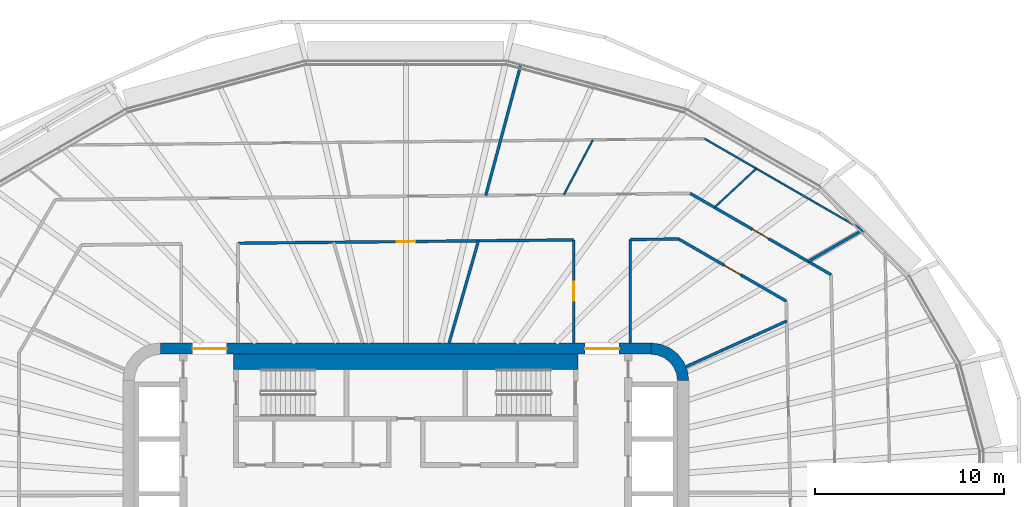
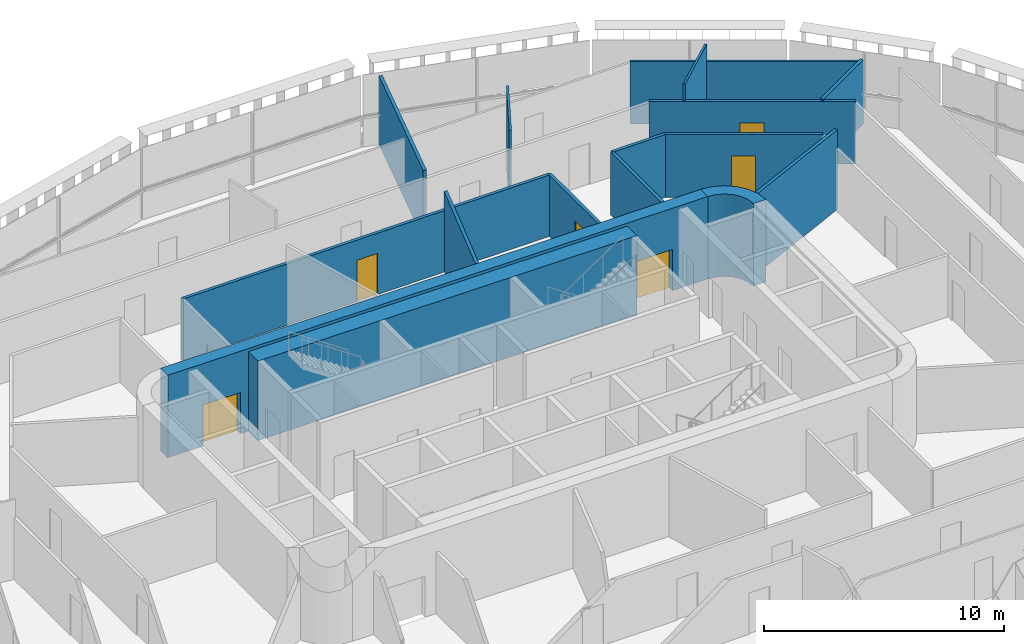
# One storey, part 16 of 24: 16 walls, 6 doors, 6 openings.
"""IFC4 building model written with IfcOpenShell, lengths in metres."""

import ifcopenshell
import ifcopenshell.guid

model = None  # the IFC model being written
_history = None  # IfcOwnerHistory: only IFC2X3 demands one
_inside = {}  # id of a spatial element -> (the spatial element, [elements in it])
_under = {}  # id of a project, library or spatial element -> (it, [spatial elements below it])
_declared = {}  # id of a project -> (the project, [libraries it declares])
_typed = {}  # id of a type object -> (the type object, [elements of that type])
_made_of = {}  # id of a material, layer set ... -> (it, [elements and type objects made of it])


def new_model(schema):
    """Start an empty IFC model of exactly this schema.

    Asked for "IFC4X3", IfcOpenShell would pick the latest addendum, in which some entities
    have other attributes; the version numbers below select the first issue.
    IFC2X3 requires an IfcOwnerHistory on every rooted entity: one is made here for all.
    """
    global model, _history
    if schema == "IFC4X3":
        model = ifcopenshell.file(schema_version=(4, 3, 0, 0))
    else:
        model = ifcopenshell.file(schema=schema)
    _inside.clear()
    _under.clear()
    _declared.clear()
    _typed.clear()
    _made_of.clear()
    _history = None
    if model.schema == "IFC2X3":
        org = make("IfcOrganization", Name="unknown")
        user = make(
            "IfcPersonAndOrganization",
            ThePerson=make("IfcPerson", FamilyName="unknown"),
            TheOrganization=org,
        )
        app = make(
            "IfcApplication",
            ApplicationDeveloper=org,
            Version="unknown",
            ApplicationFullName="unknown",
            ApplicationIdentifier="unknown",
        )
        _history = make(
            "IfcOwnerHistory",
            OwningUser=user,
            OwningApplication=app,
            ChangeAction="ADDED",
            CreationDate=0,
        )
    return model


def make(cls, **values):
    """One entity of the class cls with the attributes given. An attribute that is None is left unset."""
    return model.create_entity(
        cls, **{name: value for name, value in values.items() if value is not None}
    )


def rooted(cls, **values):
    """An entity with a GlobalId (a new one), such as an element, a storey or a relation."""
    return make(cls, GlobalId=ifcopenshell.guid.new(), OwnerHistory=_history, **values)


def si_unit(unit_type, name, prefix=None):
    """IfcSIUnit, for example si_unit("LENGTHUNIT", "METRE", prefix="MILLI")."""
    return make("IfcSIUnit", UnitType=unit_type, Prefix=prefix, Name=name)


def assignment(units):
    """IfcUnitAssignment: the units of a project."""
    return None if units is None else make("IfcUnitAssignment", Units=units)


def point(xyz):
    """IfcCartesianPoint."""
    return None if xyz is None else make("IfcCartesianPoint", Coordinates=xyz)


def direction(xyz):
    """IfcDirection."""
    return None if xyz is None else make("IfcDirection", DirectionRatios=xyz)


def frame(location, z_axis=None, x_axis=None):
    """IfcAxis2Placement3D, a coordinate frame: its origin and axes. An axis left out is left unset."""
    return make(
        "IfcAxis2Placement3D",
        Location=point(location),
        Axis=direction(z_axis),
        RefDirection=direction(x_axis),
    )


def frame_2d(location, x_axis=None):
    """IfcAxis2Placement2D, a coordinate frame in the plane: its origin and x axis."""
    return make(
        "IfcAxis2Placement2D", Location=point(location), RefDirection=direction(x_axis)
    )


def origin():
    """The frame at (0, 0, 0) with its axes left unset."""
    return frame((0.0, 0.0, 0.0))


def place(relative_to, where):
    """IfcLocalPlacement: puts the frame where relative to a parent placement (None: the world)."""
    return make(
        "IfcLocalPlacement", PlacementRelTo=relative_to, RelativePlacement=where
    )


def context(
    kind, dimensions, precision=None, world=None, true_north=None, identifier=None
):
    """IfcGeometricRepresentationContext, for example the 3D "Model" context."""
    return make(
        "IfcGeometricRepresentationContext",
        ContextIdentifier=identifier,
        ContextType=kind,
        CoordinateSpaceDimension=dimensions,
        Precision=precision,
        WorldCoordinateSystem=world,
        TrueNorth=true_north,
    )


def subcontext(parent, identifier, kind, view, scale=None):
    """IfcGeometricRepresentationSubContext, for example "Body" below "Model"."""
    return make(
        "IfcGeometricRepresentationSubContext",
        ContextIdentifier=identifier,
        ContextType=kind,
        ParentContext=parent,
        TargetScale=scale,
        TargetView=view,
    )


def project(units=None, contexts=None):
    """IfcProject with its units and contexts."""
    return rooted(
        "IfcProject",
        Name="project",
        RepresentationContexts=contexts,
        UnitsInContext=assignment(units),
    )


def spatial(cls, under=None, at=None, **own):
    """A site, building, storey or space (cls), placed at a placement, below another one or the project."""
    s = rooted(cls, ObjectPlacement=at, **own)
    if under is not None:
        _under.setdefault(under.id(), (under, []))[1].append(s)
    return s


def polyline(points):
    """IfcPolyline through the points."""
    return make("IfcPolyline", Points=[point(p) for p in points])


def profile(cls, at=None, kind="AREA", **sizes):
    """A parametric profile (cls). Its sizes go by their IFC names, for example OverallWidth=200.0."""
    return make(cls, ProfileType=kind, Position=at, **sizes)


def rectangle(**sizes):
    """IfcRectangleProfileDef."""
    return profile("IfcRectangleProfileDef", **sizes)


def outline(outer, holes=None, kind="AREA"):
    """IfcArbitraryClosedProfileDef: a profile drawn as a closed curve; with holes, ...WithVoids."""
    if holes is None:
        return make("IfcArbitraryClosedProfileDef", ProfileType=kind, OuterCurve=outer)
    return make(
        "IfcArbitraryProfileDefWithVoids",
        ProfileType=kind,
        OuterCurve=outer,
        InnerCurves=holes,
    )


def extrude(swept, where, along, depth):
    """IfcExtrudedAreaSolid: the profile swept, set in the frame where, extruded along a direction by depth."""
    return make(
        "IfcExtrudedAreaSolid",
        SweptArea=swept,
        Position=where,
        ExtrudedDirection=direction(along),
        Depth=depth,
    )


def shape(context_of_items, identifier, shape_type, items):
    """IfcShapeRepresentation: the items that make up one representation, for example the "Body"."""
    return make(
        "IfcShapeRepresentation",
        ContextOfItems=context_of_items,
        RepresentationIdentifier=identifier,
        RepresentationType=shape_type,
        Items=items,
    )


def material(Name=None, Category=None):
    """IfcMaterial."""
    return make("IfcMaterial", Name=Name, Category=Category)


def layer(
    of_material, thickness, ventilated=None, Name=None, Category=None, Priority=None
):
    """IfcMaterialLayer: one layer of a wall or slab, of a material (None: an air gap)."""
    return make(
        "IfcMaterialLayer",
        Material=of_material,
        LayerThickness=thickness,
        IsVentilated=ventilated,
        Name=Name,
        Category=Category,
        Priority=Priority,
    )


def layer_set(layers, Name=None):
    """IfcMaterialLayerSet."""
    return make("IfcMaterialLayerSet", MaterialLayers=layers, LayerSetName=Name)


def made_of(thing, what):
    """Note that an element or type object is made of a material, layer set ...; save() writes the relation."""
    if what is not None:
        _made_of.setdefault(what.id(), (what, []))[1].append(thing)
    return thing


def type_object(cls, material=None, **own):
    """A type object (cls), such as IfcWallType, which elements share."""
    return made_of(rooted(cls, **own), material)


def element(
    cls,
    number,
    at=None,
    inside=None,
    cuts=None,
    type_object=None,
    material=None,
    context=None,
    identifier="Body",
    shape_type=None,
    held_by="IfcProductDefinitionShape",
    body=None,
    shapes=None,
    **own,
):
    """One element of the class cls, such as IfcWall. Its Tag is "e" and its number.

    at: its placement. inside: the storey or other place that contains it. cuts: it is an
    opening in that element (IfcRelVoidsElement). A single representation is given by context,
    identifier, shape_type and body (its items); several are given by shapes. held_by: the class
    of the entity that holds the representations. save() writes the other relations.
    """
    e = rooted(cls, Tag="e%d" % number, ObjectPlacement=at, **own)
    if body is not None:
        shapes = [shape(context, identifier, shape_type, body)]
    if shapes is not None:
        e.Representation = make(held_by, Representations=shapes)
    if inside is not None:
        _inside.setdefault(inside.id(), (inside, []))[1].append(e)
    if cuts is not None:
        rooted(
            "IfcRelVoidsElement", RelatingBuildingElement=cuts, RelatedOpeningElement=e
        )
    if type_object is not None:
        _typed.setdefault(type_object.id(), (type_object, []))[1].append(e)
    return made_of(e, material)


def fill(opening, filler):
    """IfcRelFillsElement: the door or window that sits in an opening."""
    return rooted(
        "IfcRelFillsElement",
        RelatingOpeningElement=opening,
        RelatedBuildingElement=filler,
    )


def aggregate(whole, parts):
    """IfcRelAggregates: a whole, such as a stair, and the parts it consists of."""
    return rooted("IfcRelAggregates", RelatingObject=whole, RelatedObjects=parts)


def save(model, path):
    """Write the relations noted so far, then the file.

    IfcRelAggregates (storeys below a building ...), IfcRelContainedInSpatialStructure (elements
    in a storey), IfcRelDefinesByType, IfcRelAssociatesMaterial and IfcRelDeclares: one each for
    every whole, place, type object, material and project.
    """
    for whole, parts in _under.values():
        aggregate(whole, parts)
    for where, things in _inside.values():
        rooted(
            "IfcRelContainedInSpatialStructure",
            RelatedElements=things,
            RelatingStructure=where,
        )
    for kind, things in _typed.values():
        rooted("IfcRelDefinesByType", RelatedObjects=things, RelatingType=kind)
    for what, things in _made_of.values():
        rooted("IfcRelAssociatesMaterial", RelatedObjects=things, RelatingMaterial=what)
    for by, libraries in _declared.values():
        rooted("IfcRelDeclares", RelatingContext=by, RelatedDefinitions=libraries)
    model.write(path)


model = new_model("IFC4")

# Units and contexts
model_context = context("Model", 3, precision=1e-05, world=origin(), true_north=direction((0.0, 1.0)))
body_context = subcontext(model_context, "Body", "Model", "MODEL_VIEW")
ifc_project = project(units=[si_unit("LENGTHUNIT", "METRE"), si_unit("AREAUNIT", "SQUARE_METRE"), si_unit("VOLUMEUNIT", "CUBIC_METRE"), si_unit("PLANEANGLEUNIT", "RADIAN"), si_unit("MASSUNIT", "GRAM", prefix="KILO")], contexts=[model_context])

# Site, building, storey
site_placement = place(None, origin())
site = spatial("IfcSite", under=ifc_project, at=site_placement, CompositionType="ELEMENT")
building_placement = place(site_placement, origin())
building = spatial("IfcBuilding", under=site, at=building_placement, Name="Sahrelin Media Tower", CompositionType="ELEMENT")
storey_placement = place(building_placement, frame((0.0, 0.0, 58.800048828125)))
storey = spatial("IfcBuildingStorey", under=building, at=storey_placement, Name="L09", CompositionType="ELEMENT", Elevation=58.800048828125)

# Wall, openings, doors
ifc_material_1 = material(Name="Concrete C60/75", Category="concrete")
ifc_layer_1 = layer(ifc_material_1, 0.60009765625)
ifc_layer_set_1 = layer_set([ifc_layer_1], Name="Core wall 600")
wall_type_1 = type_object("IfcWallType", Name="Core wall 600", PredefinedType="SHEAR", material=ifc_layer_set_1)
wall_1_placement = place(storey_placement, frame((-13.0, 7.699951171875, 0.0), z_axis=(0.0, 0.0, 1.0), x_axis=(1.0, 0.0, 0.0)))
wall_1 = element("IfcWall", 1, at=wall_1_placement, inside=storey, type_object=wall_type_1, Name="Core wall N L09", PredefinedType="SHEAR", context=body_context, shape_type="SweptSolid", body=[
    extrude(rectangle(XDim=26.0, YDim=0.60009765625, at=frame_2d((13.0, 0.0))), origin(), (0.0, 0.0, 1.0), 4.199951171875),
])
opening_1_placement = place(wall_1_placement, frame((1.699951171875, 0.0, 0.0)))
opening_1 = element("IfcOpeningElement", 2, at=opening_1_placement, cuts=wall_1, Name="Opening L09-D18", PredefinedType="OPENING", context=body_context, shape_type="SweptSolid", body=[
    extrude(rectangle(XDim=1.800048828125, YDim=2.10009765625, at=frame_2d((0.89990234375, 1.050048828125))), frame((0.0, 0.300048828125, 0.0), z_axis=(0.0, -1.0, 0.0), x_axis=(1.0, 0.0, 0.0)), (0.0, 0.0, 1.0), 0.60009765625),
])
opening_2_placement = place(wall_1_placement, frame((22.5, 0.0, 0.0)))
opening_2 = element("IfcOpeningElement", 3, at=opening_2_placement, cuts=wall_1, Name="Opening L09-D19", PredefinedType="OPENING", context=body_context, shape_type="SweptSolid", body=[
    extrude(rectangle(XDim=1.800048828125, YDim=2.10009765625, at=frame_2d((0.89990234375, 1.050048828125))), frame((0.0, 0.300048828125, 0.0), z_axis=(0.0, -1.0, 0.0), x_axis=(1.0, 0.0, 0.0)), (0.0, 0.0, 1.0), 0.60009765625),
])
ifc_material_2 = material(Name="Steel fire door leaf", Category="steel")
door_type_1 = type_object("IfcDoorType", Name="Lobby double door 1800 x 2100 EI 60", OperationType="DOUBLE_DOOR_SINGLE_SWING", PredefinedType="DOOR", material=ifc_material_2)
door_1_placement = place(opening_1_placement, origin())
door_1 = element("IfcDoor", 4, at=door_1_placement, inside=storey, type_object=door_type_1, Name="Lobby door", OperationType="DOUBLE_DOOR_SINGLE_SWING", OverallHeight=2.10009765625, OverallWidth=1.800048828125, PredefinedType="DOOR", context=body_context, shape_type="SweptSolid", body=[
    extrude(rectangle(XDim=1.800048828125, YDim=2.10009765625, at=frame_2d((0.89990234375, 1.050048828125))), frame((0.0, 0.02490234375, 0.0), z_axis=(0.0, -1.0, 0.0), x_axis=(1.0, 0.0, 0.0)), (0.0, 0.0, 1.0), 0.050048828125),
])
fill(opening_1, door_1)
door_2_placement = place(opening_2_placement, origin())
door_2 = element("IfcDoor", 5, at=door_2_placement, inside=storey, type_object=door_type_1, Name="Lobby door", OperationType="DOUBLE_DOOR_SINGLE_SWING", OverallHeight=2.10009765625, OverallWidth=1.800048828125, PredefinedType="DOOR", context=body_context, shape_type="SweptSolid", body=[
    extrude(rectangle(XDim=1.800048828125, YDim=2.10009765625, at=frame_2d((0.89990234375, 1.050048828125))), frame((0.0, 0.02490234375, 0.0), z_axis=(0.0, -1.0, 0.0), x_axis=(1.0, 0.0, 0.0)), (0.0, 0.0, 1.0), 0.050048828125),
])
fill(opening_2, door_2)

# Wall
wall_2_placement = place(storey_placement, origin())
element("IfcWall", 6, at=wall_2_placement, inside=storey, type_object=wall_type_1, Name="Core wall corner NE L09", PredefinedType="SHEAR", context=body_context, shape_type="SweptSolid", body=[
    extrude(outline(polyline([(13.0, 8.0), (13.0, 7.394775390625), (13.361083984375, 7.347412109375), (13.697509765625, 7.2080078125), (13.986328125, 6.986328125), (14.2080078125, 6.697509765625), (14.347412109375, 6.361083984375), (14.394775390625, 6.0), (15.0, 6.0), (14.931884765625, 6.517578125), (14.732177734375, 7.0), (14.414306640625, 7.414306640625), (14.0, 7.732177734375), (13.517578125, 7.931884765625), (13.0, 8.0)])), origin(), (0.0, 0.0, 1.0), 4.199951171875),
])

# Wall, opening, door
ifc_material_3 = material(Name="Fire-rated gypsum board partition")
ifc_layer_2 = layer(ifc_material_3, 0.14990234375)
ifc_layer_set_2 = layer_set([ifc_layer_2], Name="Fire-rated partition 150")
wall_type_2 = type_object("IfcWallType", Name="Fire-rated partition 150", PredefinedType="PARTITIONING", material=ifc_layer_set_2)
wall_3_placement = place(storey_placement, frame((14.447998046875, 13.514892578125, 0.0), z_axis=(0.0, 0.0, 1.0), x_axis=(0.866057537452, -0.499944338725, 0.0)))
wall_3 = element("IfcWall", 7, at=wall_3_placement, inside=storey, type_object=wall_type_2, Name="Wall", PredefinedType="PARTITIONING", context=body_context, shape_type="SweptSolid", body=[
    extrude(rectangle(XDim=6.603759765625, YDim=0.14990234375, at=frame_2d((3.3017578125, 0.0))), origin(), (0.0, 0.0, 1.0), 3.195068359375),
])
opening_3_placement = place(wall_3_placement, frame((2.801025390625, 0.0, 0.0)))
opening_3 = element("IfcOpeningElement", 8, at=opening_3_placement, cuts=wall_3, Name="Opening L09-D28", PredefinedType="OPENING", context=body_context, shape_type="SweptSolid", body=[
    extrude(rectangle(XDim=1.0, YDim=2.10009765625, at=frame_2d((0.5, 1.050048828125))), frame((0.0, 0.074951171875, 0.0), z_axis=(0.0, -1.0, 0.0), x_axis=(1.0, 0.0, 0.0)), (0.0, 0.0, 1.0), 0.14990234375),
])
door_type_2 = type_object("IfcDoorType", Name="Fire door 1000 x 2100 EI 60", OperationType="NOTDEFINED", PredefinedType="DOOR", material=ifc_material_2)
door_3_placement = place(opening_3_placement, origin())
door_3 = element("IfcDoor", 9, at=door_3_placement, inside=storey, type_object=door_type_2, Name="Fire door", OperationType="SINGLE_SWING_RIGHT", OverallHeight=2.10009765625, OverallWidth=1.0, PredefinedType="DOOR", context=body_context, shape_type="SweptSolid", body=[
    extrude(rectangle(XDim=1.0, YDim=2.10009765625, at=frame_2d((0.5, 1.050048828125))), frame((0.0, 0.02490234375, 0.0), z_axis=(0.0, -1.0, 0.0), x_axis=(1.0, 0.0, 0.0)), (0.0, 0.0, 1.0), 0.050048828125),
])
fill(opening_3, door_3)

wall_4_placement = place(storey_placement, frame((15.080078125, 15.9208984375, 0.0), z_axis=(0.0, 0.0, 1.0), x_axis=(0.866045387442, -0.499965385693, 0.0)))
wall_4 = element("IfcWall", 10, at=wall_4_placement, inside=storey, type_object=wall_type_2, Name="Wall", PredefinedType="PARTITIONING", context=body_context, shape_type="SweptSolid", body=[
    extrude(rectangle(XDim=8.6123046875, YDim=0.14990234375, at=frame_2d((4.30615234375, 0.0))), origin(), (0.0, 0.0, 1.0), 3.195068359375),
])
opening_4_placement = place(wall_4_placement, frame((3.798095703125, 0.0, 0.0)))
opening_4 = element("IfcOpeningElement", 11, at=opening_4_placement, cuts=wall_4, Name="Opening L09-D52", PredefinedType="OPENING", context=body_context, shape_type="SweptSolid", body=[
    extrude(rectangle(XDim=1.0, YDim=2.10009765625, at=frame_2d((0.5, 1.050048828125))), frame((0.0, 0.074951171875, 0.0), z_axis=(0.0, -1.0, 0.0), x_axis=(1.0, 0.0, 0.0)), (0.0, 0.0, 1.0), 0.14990234375),
])
door_4_placement = place(opening_4_placement, origin())
door_4 = element("IfcDoor", 12, at=door_4_placement, inside=storey, type_object=door_type_2, Name="Fire door", OperationType="SINGLE_SWING_RIGHT", OverallHeight=2.10009765625, OverallWidth=1.0, PredefinedType="DOOR", context=body_context, shape_type="SweptSolid", body=[
    extrude(rectangle(XDim=1.0, YDim=2.10009765625, at=frame_2d((0.5, 1.050048828125))), frame((0.0, 0.02490234375, 0.0), z_axis=(0.0, -1.0, 0.0), x_axis=(1.0, 0.0, 0.0)), (0.0, 0.0, 1.0), 0.050048828125),
])
fill(opening_4, door_4)

wall_5_placement = place(storey_placement, frame((-8.89990234375, 13.282470703125, 0.0), z_axis=(0.0, 0.0, 1.0), x_axis=(0.999950697987, 0.009929833562, 0.0)))
wall_5 = element("IfcWall", 13, at=wall_5_placement, inside=storey, type_object=wall_type_2, Name="Wall", PredefinedType="PARTITIONING", context=body_context, shape_type="SweptSolid", body=[
    extrude(rectangle(XDim=17.80078125, YDim=0.14990234375, at=frame_2d((8.900390625, 0.0))), origin(), (0.0, 0.0, 1.0), 3.126953125),
])
opening_5_placement = place(wall_5_placement, frame((8.411865234375, 0.0, 0.0)))
opening_5 = element("IfcOpeningElement", 14, at=opening_5_placement, cuts=wall_5, Name="Opening L09-D30", PredefinedType="OPENING", context=body_context, shape_type="SweptSolid", body=[
    extrude(rectangle(XDim=1.0, YDim=2.10009765625, at=frame_2d((0.5, 1.050048828125))), frame((0.0, 0.074951171875, 0.0), z_axis=(0.0, -1.0, 0.0), x_axis=(1.0, 0.0, 0.0)), (0.0, 0.0, 1.0), 0.14990234375),
])
door_5_placement = place(opening_5_placement, origin())
door_5 = element("IfcDoor", 15, at=door_5_placement, inside=storey, type_object=door_type_2, Name="Fire door", OperationType="SINGLE_SWING_LEFT", OverallHeight=2.10009765625, OverallWidth=1.0, PredefinedType="DOOR", context=body_context, shape_type="SweptSolid", body=[
    extrude(rectangle(XDim=1.0, YDim=2.10009765625, at=frame_2d((0.5, 1.050048828125))), frame((0.0, 0.02490234375, 0.0), z_axis=(0.0, -1.0, 0.0), x_axis=(1.0, 0.0, 0.0)), (0.0, 0.0, 1.0), 0.050048828125),
])
fill(opening_5, door_5)

# Walls
wall_6_placement = place(storey_placement, frame((11.89990234375, 13.47998046875, 0.0), z_axis=(0.0, 0.0, 1.0), x_axis=(0.999950357576, 0.009964054536, 0.0)))
element("IfcWall", 16, at=wall_6_placement, inside=storey, type_object=wall_type_2, Name="Wall", PredefinedType="PARTITIONING", context=body_context, shape_type="SweptSolid", body=[
    extrude(rectangle(XDim=2.54833984375, YDim=0.14990234375, at=frame_2d((1.274169921875, 0.0))), origin(), (0.0, 0.0, 1.0), 3.195068359375),
])
wall_7_placement = place(storey_placement, frame((14.843017578125, 6.73291015625, 0.0), z_axis=(0.0, 0.0, 1.0), x_axis=(0.910628361306, 0.413226315214, 0.0)))
element("IfcWall", 17, at=wall_7_placement, inside=storey, type_object=wall_type_2, Name="Wall", PredefinedType="PARTITIONING", context=body_context, shape_type="SweptSolid", body=[
    extrude(rectangle(XDim=5.870361328125, YDim=0.14990234375, at=frame_2d((2.93505859375, 0.0))), origin(), (0.0, 0.0, 1.0), 4.050048828125),
])
wall_8_placement = place(storey_placement, frame((21.327880859375, 12.31396484375, 0.0), z_axis=(0.0, 0.0, 1.0), x_axis=(0.865983350263, 0.500072831762, 0.0)))
element("IfcWall", 18, at=wall_8_placement, inside=storey, type_object=wall_type_2, Name="Wall", PredefinedType="PARTITIONING", context=body_context, shape_type="SweptSolid", body=[
    extrude(rectangle(XDim=3.33740234375, YDim=0.14990234375, at=frame_2d((1.668701171875, 0.0))), origin(), (0.0, 0.0, 1.0), 3.27587890625),
])
wall_9_placement = place(storey_placement, frame((2.2958984375, 8.0, 0.0), z_axis=(0.0, 0.0, 1.0), x_axis=(0.275958345059, 0.961169595749, 0.0)))
element("IfcWall", 19, at=wall_9_placement, inside=storey, type_object=wall_type_2, Name="Wall", PredefinedType="PARTITIONING", context=body_context, shape_type="SweptSolid", body=[
    extrude(rectangle(XDim=5.62841796875, YDim=0.14990234375, at=frame_2d((2.814208984375, 0.0))), origin(), (0.0, 0.0, 1.0), 4.050048828125),
])
wall_10_placement = place(storey_placement, frame((4.237060546875, 15.81298828125, 0.0), z_axis=(0.0, 0.0, 1.0), x_axis=(0.258845635073, 0.965918701136, 0.0)))
element("IfcWall", 20, at=wall_10_placement, inside=storey, type_object=wall_type_2, Name="Wall", PredefinedType="PARTITIONING", context=body_context, shape_type="SweptSolid", body=[
    extrude(rectangle(XDim=7.166259765625, YDim=0.14990234375, at=frame_2d((3.5830078125, 0.0))), origin(), (0.0, 0.0, 1.0), 3.501708984375),
])
wall_11_placement = place(storey_placement, frame((11.89990234375, 8.0, 0.0), z_axis=(0.0, 0.0, 1.0), x_axis=(0.0, 1.0, 0.0)))
element("IfcWall", 21, at=wall_11_placement, inside=storey, type_object=wall_type_2, Name="Wall", PredefinedType="PARTITIONING", context=body_context, shape_type="SweptSolid", body=[
    extrude(rectangle(XDim=5.47900390625, YDim=0.14990234375, at=frame_2d((2.739501953125, 0.0))), origin(), (0.0, 0.0, 1.0), 3.195068359375),
])

# Wall, opening, door
wall_12_placement = place(storey_placement, frame((8.89990234375, 8.0, 0.0), z_axis=(0.0, 0.0, 1.0), x_axis=(0.0, 1.0, 0.0)))
wall_12 = element("IfcWall", 22, at=wall_12_placement, inside=storey, type_object=wall_type_2, Name="Wall", PredefinedType="PARTITIONING", context=body_context, shape_type="SweptSolid", body=[
    extrude(rectangle(XDim=5.4599609375, YDim=0.14990234375, at=frame_2d((2.72998046875, 0.0))), origin(), (0.0, 0.0, 1.0), 3.126953125),
])
opening_6_placement = place(wall_12_placement, frame((2.22998046875, 0.0, 0.0)))
opening_6 = element("IfcOpeningElement", 23, at=opening_6_placement, cuts=wall_12, Name="Opening L09-D29", PredefinedType="OPENING", context=body_context, shape_type="SweptSolid", body=[
    extrude(rectangle(XDim=1.0, YDim=2.10009765625, at=frame_2d((0.5, 1.050048828125))), frame((0.0, 0.074951171875, 0.0), z_axis=(0.0, -1.0, 0.0), x_axis=(1.0, 0.0, 0.0)), (0.0, 0.0, 1.0), 0.14990234375),
])
door_6_placement = place(opening_6_placement, origin())
door_6 = element("IfcDoor", 24, at=door_6_placement, inside=storey, type_object=door_type_2, Name="Fire door", OperationType="SINGLE_SWING_LEFT", OverallHeight=2.10009765625, OverallWidth=1.0, PredefinedType="DOOR", context=body_context, shape_type="SweptSolid", body=[
    extrude(rectangle(XDim=1.0, YDim=2.10009765625, at=frame_2d((0.5, 1.050048828125))), frame((0.0, 0.02490234375, 0.0), z_axis=(0.0, -1.0, 0.0), x_axis=(1.0, 0.0, 0.0)), (0.0, 0.0, 1.0), 0.050048828125),
])
fill(opening_6, door_6)

# Walls
ifc_material_4 = material(Name="Gypsum board partition")
ifc_layer_3 = layer(ifc_material_4, 0.10009765625)
ifc_layer_set_3 = layer_set([ifc_layer_3], Name="Partition 100")
wall_type_3 = type_object("IfcWallType", Name="Partition 100", PredefinedType="PARTITIONING", material=ifc_layer_set_3)
wall_13_placement = place(storey_placement, frame((15.841064453125, 18.819091796875, 0.0), z_axis=(0.0, 0.0, 1.0), x_axis=(0.866064962815, -0.499931475489, 0.0)))
element("IfcWall", 25, at=wall_13_placement, inside=storey, type_object=wall_type_3, Name="Wall", PredefinedType="PARTITIONING", context=body_context, shape_type="SweptSolid", body=[
    extrude(rectangle(XDim=9.672607421875, YDim=0.10009765625, at=frame_2d((4.83642578125, 0.0))), origin(), (0.0, 0.0, 1.0), 3.195068359375),
])
wall_14_placement = place(storey_placement, frame((16.361083984375, 15.180908203125, 0.0), z_axis=(0.0, 0.0, 1.0), x_axis=(0.733037714786, 0.680187995117, 0.0)))
element("IfcWall", 26, at=wall_14_placement, inside=storey, type_object=wall_type_3, Name="Wall", PredefinedType="PARTITIONING", context=body_context, shape_type="SweptSolid", body=[
    extrude(rectangle(XDim=3.02587890625, YDim=0.10009765625, at=frame_2d((1.512939453125, 0.0))), origin(), (0.0, 0.0, 1.0), 4.050048828125),
])
wall_15_placement = place(storey_placement, frame((8.37890625, 15.85498046875, 0.0), z_axis=(0.0, 0.0, 1.0), x_axis=(0.467454152029, 0.884017316432, 0.0)))
element("IfcWall", 27, at=wall_15_placement, inside=storey, type_object=wall_type_3, Name="Wall", PredefinedType="PARTITIONING", context=body_context, shape_type="SweptSolid", body=[
    extrude(rectangle(XDim=3.2861328125, YDim=0.10009765625, at=frame_2d((1.64306640625, 0.0))), origin(), (0.0, 0.0, 1.0), 4.050048828125),
])
ifc_layer_4 = layer(ifc_material_1, 0.800048828125)
ifc_layer_set_4 = layer_set([ifc_layer_4], Name="Stair enclosure wall 800")
wall_type_4 = type_object("IfcWallType", Name="Stair enclosure wall 800", PredefinedType="SOLIDWALL", material=ifc_layer_set_4)
wall_16_placement = place(storey_placement, frame((-9.125, 7.0, 0.0), z_axis=(0.0, 0.0, 1.0), x_axis=(1.0, 0.0, 0.0)))
element("IfcWall", 28, at=wall_16_placement, inside=storey, type_object=wall_type_4, Name="Stair enclosure wall", PredefinedType="SOLIDWALL", context=body_context, shape_type="SweptSolid", body=[
    extrude(rectangle(XDim=18.25, YDim=0.800048828125, at=frame_2d((9.125, 0.0))), origin(), (0.0, 0.0, 1.0), 4.050048828125),
])

save(model, "model.ifc")
